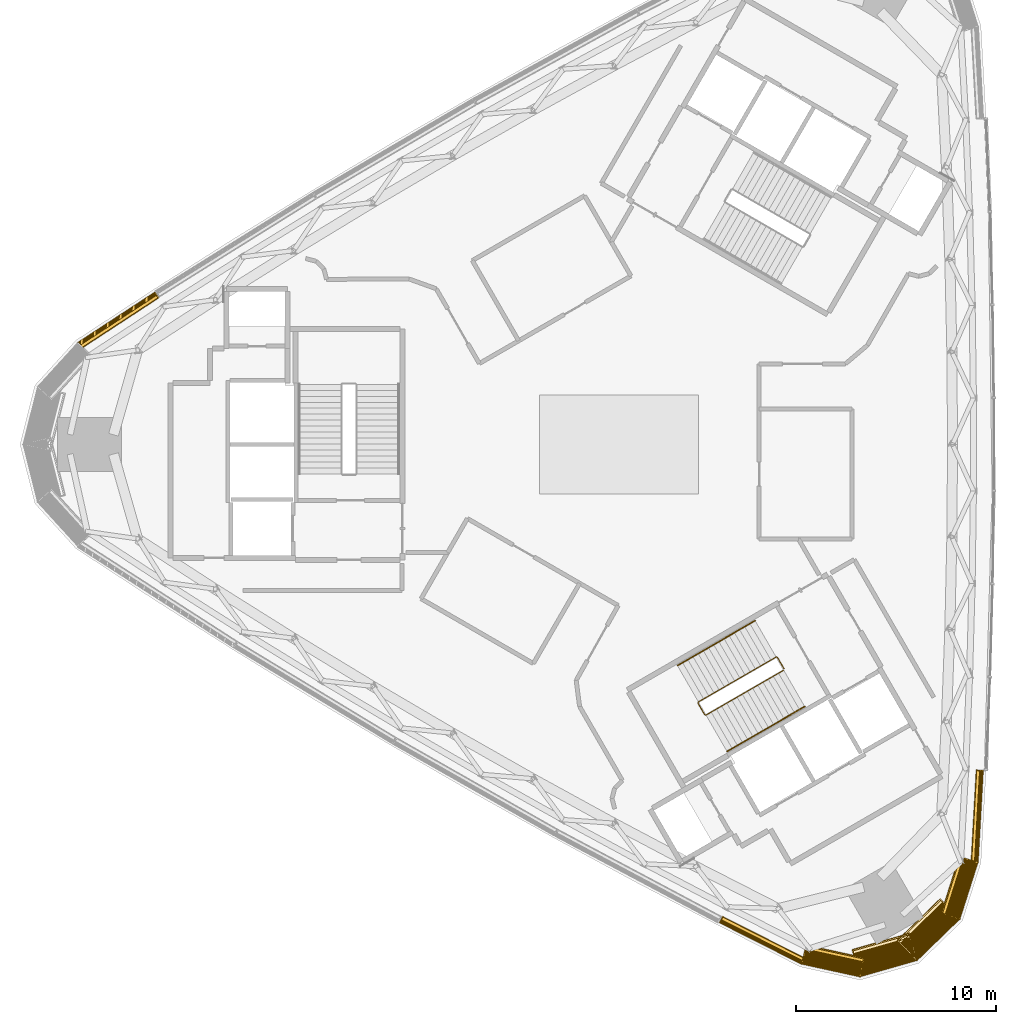
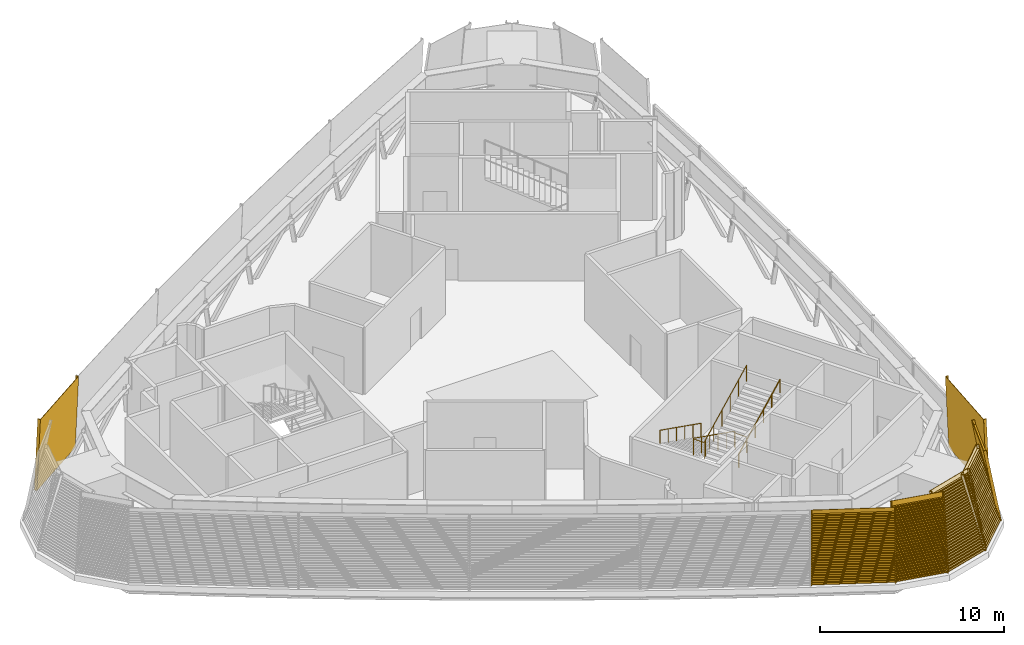
# One storey, part 16 of 18: 7 coverings, 3 railings.
"""IFC4 building model written with IfcOpenShell, lengths in metres."""

from ifc_helpers import new_model, si_unit, direction, frame, frame_2d, origin, origin_2d, place, context, subcontext, project, spatial, rectangle, circle, extrude, source, transform, mapped, material, type_object, element, save


model = new_model("IFC4")

# Units and contexts
model_context = context("Model", 3, precision=1e-05, world=origin(), true_north=direction((0.0, 1.0)))
body_context = subcontext(model_context, "Body", "Model", "MODEL_VIEW")
ifc_project = project(units=[si_unit("LENGTHUNIT", "METRE"), si_unit("AREAUNIT", "SQUARE_METRE"), si_unit("VOLUMEUNIT", "CUBIC_METRE"), si_unit("PLANEANGLEUNIT", "RADIAN"), si_unit("MASSUNIT", "GRAM", prefix="KILO")], contexts=[model_context])

# Site, building, storey
site_placement = place(None, origin())
site = spatial("IfcSite", under=ifc_project, at=site_placement, CompositionType="ELEMENT")
building_placement = place(site_placement, origin())
building = spatial("IfcBuilding", under=site, at=building_placement, Name="Tamra Quay Hotel Tower", CompositionType="ELEMENT")
storey_placement = place(building_placement, frame((0.0, 0.0, 211.60009765625)))
storey = spatial("IfcBuildingStorey", under=building, at=storey_placement, Name="L53", CompositionType="ELEMENT", Elevation=211.60009765625)

# Railings
ifc_material_1 = material(Name="Stair guard 1100")
railing_type_1 = type_object("IfcRailingType", Name="Stair guard 1100", PredefinedType="GUARDRAIL", material=ifc_material_1)
railing_1_placement = place(storey_placement, frame((8.245849609375, -11.221923828125, 0.0)))
element("IfcRailing", 1, at=railing_1_placement, inside=storey, type_object=railing_type_1, Name="GR", PredefinedType="GUARDRAIL", context=body_context, shape_type="SweptSolid", body=[
    extrude(circle(Radius=0.02392578125, at=origin_2d()), frame((0.0, 0.0, 1.076171875), z_axis=(-0.500043078269, 0.866000531106, 0.0), x_axis=(-0.866000531106, -0.500043078269, 0.0)), (0.0, 0.0, 1.0), 0.6591796875),
    extrude(circle(Radius=0.02392578125, at=origin_2d()), frame((-0.32958984375, 0.57080078125, 1.076171875), z_axis=(-0.41238007866, 0.110458949641, 0.904290601062), x_axis=(-0.258736085224, -0.965948051503, 0.0)), (0.0, 0.0, 1.0), 0.165771484375),
    extrude(circle(Radius=0.02392578125, at=origin_2d()), frame((-0.39794921875, 0.589111328125, 1.22607421875), z_axis=(-0.774075664405, -0.446909609502, 0.448417959844), x_axis=(0.499997328569, -0.86602694613, 0.0)), (0.0, 0.0, 1.0), 5.017578125),
    extrude(circle(Radius=0.02392578125, at=origin_2d()), frame((-4.281982421875, -1.6533203125, 3.47607421875), z_axis=(-0.258736085224, -0.965948051503, 0.0), x_axis=(0.965948051503, -0.258736085224, 0.0)), (0.0, 0.0, 1.0), 0.07080078125),
    extrude(circle(Radius=0.02392578125, at=origin_2d()), frame((-4.30029296875, -1.7216796875, 3.47607421875), z_axis=(0.499765215335, -0.866160914346, 0.0), x_axis=(0.866160914346, 0.499765215335, 0.0)), (0.0, 0.0, 1.0), 0.658935546875),
    extrude(circle(Radius=0.02392578125, at=origin_2d()), frame((-3.970947265625, -2.29248046875, 3.47607421875), z_axis=(0.41238007866, -0.110458949641, 0.904290601062), x_axis=(0.258736085224, 0.965948051503, 0.0)), (0.0, 0.0, 1.0), 0.165771484375),
    extrude(circle(Radius=0.02392578125, at=origin_2d()), frame((-3.902587890625, -2.310791015625, 3.6259765625), z_axis=(0.774078333318, 0.446931714007, 0.448391321173), x_axis=(-0.500014583029, 0.866016984105, 0.0)), (0.0, 0.0, 1.0), 5.017822265625),
    extrude(circle(Radius=0.02099609375, at=origin_2d()), origin(), (0.0, 0.0, 1.0), 1.052001953125),
    extrude(circle(Radius=0.02099609375, at=origin_2d()), frame((-0.32958984375, 0.57080078125, 0.0)), (0.0, 0.0, 1.0), 1.052001953125),
    extrude(circle(Radius=0.02099609375, at=origin_2d()), frame((-0.39794921875, 0.589111328125, 0.14990234375)), (0.0, 0.0, 1.0), 1.052001953125),
    extrude(circle(Radius=0.02099609375, at=origin_2d()), frame((-1.1748046875, 0.140625, 0.599853515625)), (0.0, 0.0, 1.0), 1.052001953125),
    extrude(circle(Radius=0.02099609375, at=origin_2d()), frame((-1.95166015625, -0.307861328125, 1.0498046875)), (0.0, 0.0, 1.0), 1.052001953125),
    extrude(circle(Radius=0.02099609375, at=origin_2d()), frame((-2.728271484375, -0.75634765625, 1.5)), (0.0, 0.0, 1.0), 1.052001953125),
    extrude(circle(Radius=0.02099609375, at=origin_2d()), frame((-3.505126953125, -1.204833984375, 1.949951171875)), (0.0, 0.0, 1.0), 1.052001953125),
    extrude(circle(Radius=0.02099609375, at=origin_2d()), frame((-4.281982421875, -1.6533203125, 2.39990234375)), (0.0, 0.0, 1.0), 1.052001953125),
    extrude(circle(Radius=0.02099609375, at=origin_2d()), frame((-4.30029296875, -1.7216796875, 2.39990234375)), (0.0, 0.0, 1.0), 1.052001953125),
    extrude(circle(Radius=0.02099609375, at=origin_2d()), frame((-3.970947265625, -2.29248046875, 2.39990234375)), (0.0, 0.0, 1.0), 1.052001953125),
    extrude(circle(Radius=0.02099609375, at=origin_2d()), frame((-3.902587890625, -2.310791015625, 2.5498046875)), (0.0, 0.0, 1.0), 1.052001953125),
    extrude(circle(Radius=0.02099609375, at=origin_2d()), frame((-3.125732421875, -1.8623046875, 2.999755859375)), (0.0, 0.0, 1.0), 1.052001953125),
    extrude(circle(Radius=0.02099609375, at=origin_2d()), frame((-2.348876953125, -1.413818359375, 3.44970703125)), (0.0, 0.0, 1.0), 1.052001953125),
    extrude(circle(Radius=0.02099609375, at=origin_2d()), frame((-1.572021484375, -0.965087890625, 3.89990234375)), (0.0, 0.0, 1.0), 1.052001953125),
    extrude(circle(Radius=0.02099609375, at=origin_2d()), frame((-0.795166015625, -0.5166015625, 4.349853515625)), (0.0, 0.0, 1.0), 1.052001953125),
    extrude(circle(Radius=0.02099609375, at=origin_2d()), frame((-0.018310546875, -0.068115234375, 4.7998046875)), (0.0, 0.0, 1.0), 1.052001953125),
])
ifc_material_2 = material(Name="Stair handrail 900")
railing_type_2 = type_object("IfcRailingType", Name="Stair handrail 900", PredefinedType="HANDRAIL", material=ifc_material_2)
railing_2_placement = place(storey_placement, frame((6.7978515625, -8.814208984375, 0.14990234375)))
element("IfcRailing", 2, at=railing_2_placement, inside=storey, type_object=railing_type_2, Name="HR", PredefinedType="HANDRAIL", context=body_context, shape_type="SweptSolid", body=[
    extrude(circle(Radius=0.02392578125, at=origin_2d()), frame((0.0, 0.0, 0.8759765625), z_axis=(-0.774075664405, -0.446909609502, 0.448417959844), x_axis=(0.499997328569, -0.86602694613, 0.0)), (0.0, 0.0, 1.0), 5.017578125),
    extrude(circle(Radius=0.02099609375, at=origin_2d()), origin(), (0.0, 0.0, 1.0), 0.851806640625),
    extrude(circle(Radius=0.02099609375, at=origin_2d()), frame((-0.77685546875, -0.448486328125, 0.449951171875)), (0.0, 0.0, 1.0), 0.851806640625),
    extrude(circle(Radius=0.02099609375, at=origin_2d()), frame((-1.5537109375, -0.89697265625, 0.89990234375)), (0.0, 0.0, 1.0), 0.851806640625),
    extrude(circle(Radius=0.02099609375, at=origin_2d()), frame((-2.330322265625, -1.345458984375, 1.35009765625)), (0.0, 0.0, 1.0), 0.851806640625),
    extrude(circle(Radius=0.02099609375, at=origin_2d()), frame((-3.107177734375, -1.7939453125, 1.800048828125)), (0.0, 0.0, 1.0), 0.851806640625),
    extrude(circle(Radius=0.02099609375, at=origin_2d()), frame((-3.884033203125, -2.242431640625, 2.25)), (0.0, 0.0, 1.0), 0.851806640625),
])
railing_3_placement = place(storey_placement, frame((5.393310546875, -15.351318359375, 2.5498046875)))
element("IfcRailing", 3, at=railing_3_placement, inside=storey, type_object=railing_type_2, Name="HR", PredefinedType="HANDRAIL", context=body_context, shape_type="SweptSolid", body=[
    extrude(circle(Radius=0.02392578125, at=origin_2d()), frame((0.0, 0.0, 0.8759765625), z_axis=(0.774075664405, 0.446909609502, 0.448417959844), x_axis=(-0.499997328569, 0.86602694613, 0.0)), (0.0, 0.0, 1.0), 5.017578125),
    extrude(circle(Radius=0.02099609375, at=origin_2d()), origin(), (0.0, 0.0, 1.0), 0.851806640625),
    extrude(circle(Radius=0.02099609375, at=origin_2d()), frame((0.77685546875, 0.448486328125, 0.449951171875)), (0.0, 0.0, 1.0), 0.851806640625),
    extrude(circle(Radius=0.02099609375, at=origin_2d()), frame((1.5537109375, 0.89697265625, 0.89990234375)), (0.0, 0.0, 1.0), 0.851806640625),
    extrude(circle(Radius=0.02099609375, at=origin_2d()), frame((2.330322265625, 1.345458984375, 1.35009765625)), (0.0, 0.0, 1.0), 0.851806640625),
    extrude(circle(Radius=0.02099609375, at=origin_2d()), frame((3.107177734375, 1.7939453125, 1.800048828125)), (0.0, 0.0, 1.0), 0.851806640625),
    extrude(circle(Radius=0.02099609375, at=origin_2d()), frame((3.884033203125, 2.242431640625, 2.25)), (0.0, 0.0, 1.0), 0.851806640625),
])

# Coverings
ifc_material_3 = material(Name="Terracotta louvre panel", Category="masonry")
covering_type_1 = type_object("IfcCoveringType", Name="PLANT LOUVRE H4805", PredefinedType="USERDEFINED", material=ifc_material_3)
shared_shape_1 = source(origin(), body_context, "Body", "SweptSolid", [
    extrude(rectangle(XDim=4.6201171875, YDim=0.030029296875, at=frame_2d((2.31005859375, 0.01513671875))), frame((-2.31005859375, -0.030029296875, 0.0)), (0.0, 0.0, 1.0), 4.804931640625),
    extrude(rectangle(XDim=0.050048828125, YDim=0.139892578125, at=frame_2d((0.02490234375, 0.06982421875))), frame((-2.31005859375, -0.169921875, 0.0)), (0.0, 0.0, 1.0), 4.804931640625),
    extrude(rectangle(XDim=0.050048828125, YDim=0.139892578125, at=frame_2d((0.02490234375, 0.06982421875))), frame((2.260009765625, -0.169921875, 0.0)), (0.0, 0.0, 1.0), 4.804931640625),
    extrude(rectangle(XDim=4.52001953125, YDim=0.139892578125, at=frame_2d((2.260009765625, 0.06982421875))), frame((-2.260009765625, -0.169921875, 0.050048828125)), (0.0, 0.0, 1.0), 0.034912109375),
    extrude(rectangle(XDim=4.52001953125, YDim=0.139892578125, at=frame_2d((2.260009765625, 0.06982421875))), frame((-2.260009765625, -0.169921875, 0.2099609375)), (0.0, 0.0, 1.0), 0.034912109375),
    extrude(rectangle(XDim=4.52001953125, YDim=0.139892578125, at=frame_2d((2.260009765625, 0.06982421875))), frame((-2.260009765625, -0.169921875, 0.3701171875)), (0.0, 0.0, 1.0), 0.034912109375),
    extrude(rectangle(XDim=4.52001953125, YDim=0.139892578125, at=frame_2d((2.260009765625, 0.06982421875))), frame((-2.260009765625, -0.169921875, 0.530029296875)), (0.0, 0.0, 1.0), 0.034912109375),
    extrude(rectangle(XDim=4.52001953125, YDim=0.139892578125, at=frame_2d((2.260009765625, 0.06982421875))), frame((-2.260009765625, -0.169921875, 0.68994140625)), (0.0, 0.0, 1.0), 0.034912109375),
    extrude(rectangle(XDim=4.52001953125, YDim=0.139892578125, at=frame_2d((2.260009765625, 0.06982421875))), frame((-2.260009765625, -0.169921875, 0.85009765625)), (0.0, 0.0, 1.0), 0.034912109375),
    extrude(rectangle(XDim=4.52001953125, YDim=0.139892578125, at=frame_2d((2.260009765625, 0.06982421875))), frame((-2.260009765625, -0.169921875, 1.010009765625)), (0.0, 0.0, 1.0), 0.034912109375),
    extrude(rectangle(XDim=4.52001953125, YDim=0.139892578125, at=frame_2d((2.260009765625, 0.06982421875))), frame((-2.260009765625, -0.169921875, 1.169921875)), (0.0, 0.0, 1.0), 0.034912109375),
    extrude(rectangle(XDim=4.52001953125, YDim=0.139892578125, at=frame_2d((2.260009765625, 0.06982421875))), frame((-2.260009765625, -0.169921875, 1.330078125)), (0.0, 0.0, 1.0), 0.034912109375),
    extrude(rectangle(XDim=4.52001953125, YDim=0.139892578125, at=frame_2d((2.260009765625, 0.06982421875))), frame((-2.260009765625, -0.169921875, 1.489990234375)), (0.0, 0.0, 1.0), 0.034912109375),
    extrude(rectangle(XDim=4.52001953125, YDim=0.139892578125, at=frame_2d((2.260009765625, 0.06982421875))), frame((-2.260009765625, -0.169921875, 1.64990234375)), (0.0, 0.0, 1.0), 0.034912109375),
    extrude(rectangle(XDim=4.52001953125, YDim=0.139892578125, at=frame_2d((2.260009765625, 0.06982421875))), frame((-2.260009765625, -0.169921875, 1.81005859375)), (0.0, 0.0, 1.0), 0.034912109375),
    extrude(rectangle(XDim=4.52001953125, YDim=0.139892578125, at=frame_2d((2.260009765625, 0.06982421875))), frame((-2.260009765625, -0.169921875, 1.969970703125)), (0.0, 0.0, 1.0), 0.034912109375),
    extrude(rectangle(XDim=4.52001953125, YDim=0.139892578125, at=frame_2d((2.260009765625, 0.06982421875))), frame((-2.260009765625, -0.169921875, 2.1298828125)), (0.0, 0.0, 1.0), 0.034912109375),
    extrude(rectangle(XDim=4.52001953125, YDim=0.139892578125, at=frame_2d((2.260009765625, 0.06982421875))), frame((-2.260009765625, -0.169921875, 2.2900390625)), (0.0, 0.0, 1.0), 0.034912109375),
    extrude(rectangle(XDim=4.52001953125, YDim=0.139892578125, at=frame_2d((2.260009765625, 0.06982421875))), frame((-2.260009765625, -0.169921875, 2.449951171875)), (0.0, 0.0, 1.0), 0.034912109375),
    extrude(rectangle(XDim=4.52001953125, YDim=0.139892578125, at=frame_2d((2.260009765625, 0.06982421875))), frame((-2.260009765625, -0.169921875, 2.610107421875)), (0.0, 0.0, 1.0), 0.034912109375),
    extrude(rectangle(XDim=4.52001953125, YDim=0.139892578125, at=frame_2d((2.260009765625, 0.06982421875))), frame((-2.260009765625, -0.169921875, 2.77001953125)), (0.0, 0.0, 1.0), 0.034912109375),
    extrude(rectangle(XDim=4.52001953125, YDim=0.139892578125, at=frame_2d((2.260009765625, 0.06982421875))), frame((-2.260009765625, -0.169921875, 2.929931640625)), (0.0, 0.0, 1.0), 0.034912109375),
    extrude(rectangle(XDim=4.52001953125, YDim=0.139892578125, at=frame_2d((2.260009765625, 0.06982421875))), frame((-2.260009765625, -0.169921875, 3.090087890625)), (0.0, 0.0, 1.0), 0.034912109375),
    extrude(rectangle(XDim=4.52001953125, YDim=0.139892578125, at=frame_2d((2.260009765625, 0.06982421875))), frame((-2.260009765625, -0.169921875, 3.25)), (0.0, 0.0, 1.0), 0.034912109375),
    extrude(rectangle(XDim=4.52001953125, YDim=0.139892578125, at=frame_2d((2.260009765625, 0.06982421875))), frame((-2.260009765625, -0.169921875, 3.409912109375)), (0.0, 0.0, 1.0), 0.034912109375),
    extrude(rectangle(XDim=4.52001953125, YDim=0.139892578125, at=frame_2d((2.260009765625, 0.06982421875))), frame((-2.260009765625, -0.169921875, 3.570068359375)), (0.0, 0.0, 1.0), 0.034912109375),
    extrude(rectangle(XDim=4.52001953125, YDim=0.139892578125, at=frame_2d((2.260009765625, 0.06982421875))), frame((-2.260009765625, -0.169921875, 3.72998046875)), (0.0, 0.0, 1.0), 0.034912109375),
    extrude(rectangle(XDim=4.52001953125, YDim=0.139892578125, at=frame_2d((2.260009765625, 0.06982421875))), frame((-2.260009765625, -0.169921875, 3.889892578125)), (0.0, 0.0, 1.0), 0.034912109375),
    extrude(rectangle(XDim=4.52001953125, YDim=0.139892578125, at=frame_2d((2.260009765625, 0.06982421875))), frame((-2.260009765625, -0.169921875, 4.050048828125)), (0.0, 0.0, 1.0), 0.034912109375),
    extrude(rectangle(XDim=4.52001953125, YDim=0.139892578125, at=frame_2d((2.260009765625, 0.06982421875))), frame((-2.260009765625, -0.169921875, 4.2099609375)), (0.0, 0.0, 1.0), 0.034912109375),
    extrude(rectangle(XDim=4.52001953125, YDim=0.139892578125, at=frame_2d((2.260009765625, 0.06982421875))), frame((-2.260009765625, -0.169921875, 4.3701171875)), (0.0, 0.0, 1.0), 0.034912109375),
    extrude(rectangle(XDim=4.52001953125, YDim=0.139892578125, at=frame_2d((2.260009765625, 0.06982421875))), frame((-2.260009765625, -0.169921875, 4.530029296875)), (0.0, 0.0, 1.0), 0.034912109375),
])
for number, where, z_axis, x_axis, name in (
    (4, (17.92333984375, -18.580810546875, 0.0), (-0.043552356237, 0.002417275389, 0.999048221582), (0.055417453918, 0.998463272134, 0.0), "Plant louvre L53.E.f00s"),
    (5, (-25.052978515625, 6.231689453125, 0.0), (0.023869600014, -0.036508809202, 0.999048221582), (-0.836985831455, -0.547224558973, 0.0), "Plant louvre L53.NW.f08"),
    (6, (7.129638671875, -24.8125, 0.0), (0.019682756224, 0.038926084591, 0.999048221582), (0.892403285373, -0.451238713161, 0.0), "Plant louvre L53.SW.f08"),
):
    element("IfcCovering", number, at=place(storey_placement, frame(where, z_axis=z_axis, x_axis=x_axis)), inside=storey, type_object=covering_type_1, Name=name, ObjectType="LOUVER", PredefinedType="USERDEFINED", context=body_context, shape_type="MappedRepresentation", body=[
        mapped(shared_shape_1, transform((0.0, 0.0, 0.0), scale=1.0)),
    ])
covering_type_2 = type_object("IfcCoveringType", Name="PLANT LOUVRE H4874", PredefinedType="USERDEFINED", material=ifc_material_3)
shared_shape_2 = source(origin(), body_context, "Body", "SweptSolid", [
    extrude(rectangle(XDim=3.02001953125, YDim=0.030029296875, at=frame_2d((1.510009765625, 0.01513671875))), frame((-1.510009765625, -0.030029296875, 0.0)), (0.0, 0.0, 1.0), 4.8740234375),
    extrude(rectangle(XDim=0.050048828125, YDim=0.139892578125, at=frame_2d((0.02490234375, 0.06982421875))), frame((-1.510009765625, -0.169921875, 0.0)), (0.0, 0.0, 1.0), 4.8740234375),
    extrude(rectangle(XDim=0.050048828125, YDim=0.139892578125, at=frame_2d((0.02490234375, 0.06982421875))), frame((1.4599609375, -0.169921875, 0.0)), (0.0, 0.0, 1.0), 4.8740234375),
    extrude(rectangle(XDim=2.919921875, YDim=0.139892578125, at=frame_2d((1.4599609375, 0.06982421875))), frame((-1.4599609375, -0.169921875, 0.050048828125)), (0.0, 0.0, 1.0), 0.034912109375),
    extrude(rectangle(XDim=2.919921875, YDim=0.139892578125, at=frame_2d((1.4599609375, 0.06982421875))), frame((-1.4599609375, -0.169921875, 0.2099609375)), (0.0, 0.0, 1.0), 0.034912109375),
    extrude(rectangle(XDim=2.919921875, YDim=0.139892578125, at=frame_2d((1.4599609375, 0.06982421875))), frame((-1.4599609375, -0.169921875, 0.3701171875)), (0.0, 0.0, 1.0), 0.034912109375),
    extrude(rectangle(XDim=2.919921875, YDim=0.139892578125, at=frame_2d((1.4599609375, 0.06982421875))), frame((-1.4599609375, -0.169921875, 0.530029296875)), (0.0, 0.0, 1.0), 0.034912109375),
    extrude(rectangle(XDim=2.919921875, YDim=0.139892578125, at=frame_2d((1.4599609375, 0.06982421875))), frame((-1.4599609375, -0.169921875, 0.68994140625)), (0.0, 0.0, 1.0), 0.034912109375),
    extrude(rectangle(XDim=2.919921875, YDim=0.139892578125, at=frame_2d((1.4599609375, 0.06982421875))), frame((-1.4599609375, -0.169921875, 0.85009765625)), (0.0, 0.0, 1.0), 0.034912109375),
    extrude(rectangle(XDim=2.919921875, YDim=0.139892578125, at=frame_2d((1.4599609375, 0.06982421875))), frame((-1.4599609375, -0.169921875, 1.010009765625)), (0.0, 0.0, 1.0), 0.034912109375),
    extrude(rectangle(XDim=2.919921875, YDim=0.139892578125, at=frame_2d((1.4599609375, 0.06982421875))), frame((-1.4599609375, -0.169921875, 1.169921875)), (0.0, 0.0, 1.0), 0.034912109375),
    extrude(rectangle(XDim=2.919921875, YDim=0.139892578125, at=frame_2d((1.4599609375, 0.06982421875))), frame((-1.4599609375, -0.169921875, 1.330078125)), (0.0, 0.0, 1.0), 0.034912109375),
    extrude(rectangle(XDim=2.919921875, YDim=0.139892578125, at=frame_2d((1.4599609375, 0.06982421875))), frame((-1.4599609375, -0.169921875, 1.489990234375)), (0.0, 0.0, 1.0), 0.034912109375),
    extrude(rectangle(XDim=2.919921875, YDim=0.139892578125, at=frame_2d((1.4599609375, 0.06982421875))), frame((-1.4599609375, -0.169921875, 1.64990234375)), (0.0, 0.0, 1.0), 0.034912109375),
    extrude(rectangle(XDim=2.919921875, YDim=0.139892578125, at=frame_2d((1.4599609375, 0.06982421875))), frame((-1.4599609375, -0.169921875, 1.81005859375)), (0.0, 0.0, 1.0), 0.034912109375),
    extrude(rectangle(XDim=2.919921875, YDim=0.139892578125, at=frame_2d((1.4599609375, 0.06982421875))), frame((-1.4599609375, -0.169921875, 1.969970703125)), (0.0, 0.0, 1.0), 0.034912109375),
    extrude(rectangle(XDim=2.919921875, YDim=0.139892578125, at=frame_2d((1.4599609375, 0.06982421875))), frame((-1.4599609375, -0.169921875, 2.1298828125)), (0.0, 0.0, 1.0), 0.034912109375),
    extrude(rectangle(XDim=2.919921875, YDim=0.139892578125, at=frame_2d((1.4599609375, 0.06982421875))), frame((-1.4599609375, -0.169921875, 2.2900390625)), (0.0, 0.0, 1.0), 0.034912109375),
    extrude(rectangle(XDim=2.919921875, YDim=0.139892578125, at=frame_2d((1.4599609375, 0.06982421875))), frame((-1.4599609375, -0.169921875, 2.449951171875)), (0.0, 0.0, 1.0), 0.034912109375),
    extrude(rectangle(XDim=2.919921875, YDim=0.139892578125, at=frame_2d((1.4599609375, 0.06982421875))), frame((-1.4599609375, -0.169921875, 2.610107421875)), (0.0, 0.0, 1.0), 0.034912109375),
    extrude(rectangle(XDim=2.919921875, YDim=0.139892578125, at=frame_2d((1.4599609375, 0.06982421875))), frame((-1.4599609375, -0.169921875, 2.77001953125)), (0.0, 0.0, 1.0), 0.034912109375),
    extrude(rectangle(XDim=2.919921875, YDim=0.139892578125, at=frame_2d((1.4599609375, 0.06982421875))), frame((-1.4599609375, -0.169921875, 2.929931640625)), (0.0, 0.0, 1.0), 0.034912109375),
    extrude(rectangle(XDim=2.919921875, YDim=0.139892578125, at=frame_2d((1.4599609375, 0.06982421875))), frame((-1.4599609375, -0.169921875, 3.090087890625)), (0.0, 0.0, 1.0), 0.034912109375),
    extrude(rectangle(XDim=2.919921875, YDim=0.139892578125, at=frame_2d((1.4599609375, 0.06982421875))), frame((-1.4599609375, -0.169921875, 3.25)), (0.0, 0.0, 1.0), 0.034912109375),
    extrude(rectangle(XDim=2.919921875, YDim=0.139892578125, at=frame_2d((1.4599609375, 0.06982421875))), frame((-1.4599609375, -0.169921875, 3.409912109375)), (0.0, 0.0, 1.0), 0.034912109375),
    extrude(rectangle(XDim=2.919921875, YDim=0.139892578125, at=frame_2d((1.4599609375, 0.06982421875))), frame((-1.4599609375, -0.169921875, 3.570068359375)), (0.0, 0.0, 1.0), 0.034912109375),
    extrude(rectangle(XDim=2.919921875, YDim=0.139892578125, at=frame_2d((1.4599609375, 0.06982421875))), frame((-1.4599609375, -0.169921875, 3.72998046875)), (0.0, 0.0, 1.0), 0.034912109375),
    extrude(rectangle(XDim=2.919921875, YDim=0.139892578125, at=frame_2d((1.4599609375, 0.06982421875))), frame((-1.4599609375, -0.169921875, 3.889892578125)), (0.0, 0.0, 1.0), 0.034912109375),
    extrude(rectangle(XDim=2.919921875, YDim=0.139892578125, at=frame_2d((1.4599609375, 0.06982421875))), frame((-1.4599609375, -0.169921875, 4.050048828125)), (0.0, 0.0, 1.0), 0.034912109375),
    extrude(rectangle(XDim=2.919921875, YDim=0.139892578125, at=frame_2d((1.4599609375, 0.06982421875))), frame((-1.4599609375, -0.169921875, 4.2099609375)), (0.0, 0.0, 1.0), 0.034912109375),
    extrude(rectangle(XDim=2.919921875, YDim=0.139892578125, at=frame_2d((1.4599609375, 0.06982421875))), frame((-1.4599609375, -0.169921875, 4.3701171875)), (0.0, 0.0, 1.0), 0.034912109375),
    extrude(rectangle(XDim=2.919921875, YDim=0.139892578125, at=frame_2d((1.4599609375, 0.06982421875))), frame((-1.4599609375, -0.169921875, 4.530029296875)), (0.0, 0.0, 1.0), 0.034912109375),
])
for number, where, z_axis, x_axis, name in (
    (7, (10.623046875, -26.162353515625, 0.0), (0.037103196165, 0.169637974644, 0.984807753012), (0.976906161202, -0.213668790904, 0.0), "Plant louvre L53.SW.c00"),
    (8, (17.345703125, -22.281005859375, 0.0), (-0.165462393571, 0.052686676882, 0.984807753012), (0.303410479682, 0.952859948166, 0.0), "Plant louvre L53.SW.c03"),
):
    element("IfcCovering", number, at=place(storey_placement, frame(where, z_axis=z_axis, x_axis=x_axis)), inside=storey, type_object=covering_type_2, Name=name, ObjectType="LOUVER", PredefinedType="USERDEFINED", context=body_context, shape_type="MappedRepresentation", body=[
        mapped(shared_shape_2, transform((0.0, 0.0, 0.0), scale=1.0)),
    ])
covering_type_3 = type_object("IfcCoveringType", Name="PLANT LOUVRE H4969", PredefinedType="USERDEFINED", material=ifc_material_3)
shared_shape_3 = source(origin(), body_context, "Body", "SweptSolid", [
    extrude(rectangle(XDim=3.02001953125, YDim=0.030029296875, at=frame_2d((1.510009765625, 0.01513671875))), frame((-1.510009765625, -0.030029296875, 0.0)), (0.0, 0.0, 1.0), 4.968994140625),
    extrude(rectangle(XDim=0.050048828125, YDim=0.139892578125, at=frame_2d((0.02490234375, 0.06982421875))), frame((-1.510009765625, -0.169921875, 0.0)), (0.0, 0.0, 1.0), 4.968994140625),
    extrude(rectangle(XDim=0.050048828125, YDim=0.139892578125, at=frame_2d((0.02490234375, 0.06982421875))), frame((1.4599609375, -0.169921875, 0.0)), (0.0, 0.0, 1.0), 4.968994140625),
    extrude(rectangle(XDim=2.919921875, YDim=0.139892578125, at=frame_2d((1.4599609375, 0.06982421875))), frame((-1.4599609375, -0.169921875, 0.050048828125)), (0.0, 0.0, 1.0), 0.034912109375),
    extrude(rectangle(XDim=2.919921875, YDim=0.139892578125, at=frame_2d((1.4599609375, 0.06982421875))), frame((-1.4599609375, -0.169921875, 0.2099609375)), (0.0, 0.0, 1.0), 0.034912109375),
    extrude(rectangle(XDim=2.919921875, YDim=0.139892578125, at=frame_2d((1.4599609375, 0.06982421875))), frame((-1.4599609375, -0.169921875, 0.3701171875)), (0.0, 0.0, 1.0), 0.034912109375),
    extrude(rectangle(XDim=2.919921875, YDim=0.139892578125, at=frame_2d((1.4599609375, 0.06982421875))), frame((-1.4599609375, -0.169921875, 0.530029296875)), (0.0, 0.0, 1.0), 0.034912109375),
    extrude(rectangle(XDim=2.919921875, YDim=0.139892578125, at=frame_2d((1.4599609375, 0.06982421875))), frame((-1.4599609375, -0.169921875, 0.68994140625)), (0.0, 0.0, 1.0), 0.034912109375),
    extrude(rectangle(XDim=2.919921875, YDim=0.139892578125, at=frame_2d((1.4599609375, 0.06982421875))), frame((-1.4599609375, -0.169921875, 0.85009765625)), (0.0, 0.0, 1.0), 0.034912109375),
    extrude(rectangle(XDim=2.919921875, YDim=0.139892578125, at=frame_2d((1.4599609375, 0.06982421875))), frame((-1.4599609375, -0.169921875, 1.010009765625)), (0.0, 0.0, 1.0), 0.034912109375),
    extrude(rectangle(XDim=2.919921875, YDim=0.139892578125, at=frame_2d((1.4599609375, 0.06982421875))), frame((-1.4599609375, -0.169921875, 1.169921875)), (0.0, 0.0, 1.0), 0.034912109375),
    extrude(rectangle(XDim=2.919921875, YDim=0.139892578125, at=frame_2d((1.4599609375, 0.06982421875))), frame((-1.4599609375, -0.169921875, 1.330078125)), (0.0, 0.0, 1.0), 0.034912109375),
    extrude(rectangle(XDim=2.919921875, YDim=0.139892578125, at=frame_2d((1.4599609375, 0.06982421875))), frame((-1.4599609375, -0.169921875, 1.489990234375)), (0.0, 0.0, 1.0), 0.034912109375),
    extrude(rectangle(XDim=2.919921875, YDim=0.139892578125, at=frame_2d((1.4599609375, 0.06982421875))), frame((-1.4599609375, -0.169921875, 1.64990234375)), (0.0, 0.0, 1.0), 0.034912109375),
    extrude(rectangle(XDim=2.919921875, YDim=0.139892578125, at=frame_2d((1.4599609375, 0.06982421875))), frame((-1.4599609375, -0.169921875, 1.81005859375)), (0.0, 0.0, 1.0), 0.034912109375),
    extrude(rectangle(XDim=2.919921875, YDim=0.139892578125, at=frame_2d((1.4599609375, 0.06982421875))), frame((-1.4599609375, -0.169921875, 1.969970703125)), (0.0, 0.0, 1.0), 0.034912109375),
    extrude(rectangle(XDim=2.919921875, YDim=0.139892578125, at=frame_2d((1.4599609375, 0.06982421875))), frame((-1.4599609375, -0.169921875, 2.1298828125)), (0.0, 0.0, 1.0), 0.034912109375),
    extrude(rectangle(XDim=2.919921875, YDim=0.139892578125, at=frame_2d((1.4599609375, 0.06982421875))), frame((-1.4599609375, -0.169921875, 2.2900390625)), (0.0, 0.0, 1.0), 0.034912109375),
    extrude(rectangle(XDim=2.919921875, YDim=0.139892578125, at=frame_2d((1.4599609375, 0.06982421875))), frame((-1.4599609375, -0.169921875, 2.449951171875)), (0.0, 0.0, 1.0), 0.034912109375),
    extrude(rectangle(XDim=2.919921875, YDim=0.139892578125, at=frame_2d((1.4599609375, 0.06982421875))), frame((-1.4599609375, -0.169921875, 2.610107421875)), (0.0, 0.0, 1.0), 0.034912109375),
    extrude(rectangle(XDim=2.919921875, YDim=0.139892578125, at=frame_2d((1.4599609375, 0.06982421875))), frame((-1.4599609375, -0.169921875, 2.77001953125)), (0.0, 0.0, 1.0), 0.034912109375),
    extrude(rectangle(XDim=2.919921875, YDim=0.139892578125, at=frame_2d((1.4599609375, 0.06982421875))), frame((-1.4599609375, -0.169921875, 2.929931640625)), (0.0, 0.0, 1.0), 0.034912109375),
    extrude(rectangle(XDim=2.919921875, YDim=0.139892578125, at=frame_2d((1.4599609375, 0.06982421875))), frame((-1.4599609375, -0.169921875, 3.090087890625)), (0.0, 0.0, 1.0), 0.034912109375),
    extrude(rectangle(XDim=2.919921875, YDim=0.139892578125, at=frame_2d((1.4599609375, 0.06982421875))), frame((-1.4599609375, -0.169921875, 3.25)), (0.0, 0.0, 1.0), 0.034912109375),
    extrude(rectangle(XDim=2.919921875, YDim=0.139892578125, at=frame_2d((1.4599609375, 0.06982421875))), frame((-1.4599609375, -0.169921875, 3.409912109375)), (0.0, 0.0, 1.0), 0.034912109375),
    extrude(rectangle(XDim=2.919921875, YDim=0.139892578125, at=frame_2d((1.4599609375, 0.06982421875))), frame((-1.4599609375, -0.169921875, 3.570068359375)), (0.0, 0.0, 1.0), 0.034912109375),
    extrude(rectangle(XDim=2.919921875, YDim=0.139892578125, at=frame_2d((1.4599609375, 0.06982421875))), frame((-1.4599609375, -0.169921875, 3.72998046875)), (0.0, 0.0, 1.0), 0.034912109375),
    extrude(rectangle(XDim=2.919921875, YDim=0.139892578125, at=frame_2d((1.4599609375, 0.06982421875))), frame((-1.4599609375, -0.169921875, 3.889892578125)), (0.0, 0.0, 1.0), 0.034912109375),
    extrude(rectangle(XDim=2.919921875, YDim=0.139892578125, at=frame_2d((1.4599609375, 0.06982421875))), frame((-1.4599609375, -0.169921875, 4.050048828125)), (0.0, 0.0, 1.0), 0.034912109375),
    extrude(rectangle(XDim=2.919921875, YDim=0.139892578125, at=frame_2d((1.4599609375, 0.06982421875))), frame((-1.4599609375, -0.169921875, 4.2099609375)), (0.0, 0.0, 1.0), 0.034912109375),
    extrude(rectangle(XDim=2.919921875, YDim=0.139892578125, at=frame_2d((1.4599609375, 0.06982421875))), frame((-1.4599609375, -0.169921875, 4.3701171875)), (0.0, 0.0, 1.0), 0.034912109375),
    extrude(rectangle(XDim=2.919921875, YDim=0.139892578125, at=frame_2d((1.4599609375, 0.06982421875))), frame((-1.4599609375, -0.169921875, 4.530029296875)), (0.0, 0.0, 1.0), 0.034912109375),
    extrude(rectangle(XDim=2.919921875, YDim=0.139892578125, at=frame_2d((1.4599609375, 0.06982421875))), frame((-1.4599609375, -0.169921875, 4.68994140625)), (0.0, 0.0, 1.0), 0.034912109375),
])
for number, where, z_axis, x_axis, name in (
    (9, (13.43212890625, -26.0751953125, 0.0), (-0.070851643458, 0.24893240594, 0.965925826289), (0.961800959591, 0.273749729005, 0.0), "Plant louvre L53.SW.c01"),
    (10, (15.86572265625, -24.670166015625, 0.0), (-0.18015596564, 0.185825526105, 0.965925826289), (0.717974699393, 0.696069199888, 0.0), "Plant louvre L53.SW.c02"),
):
    element("IfcCovering", number, at=place(storey_placement, frame(where, z_axis=z_axis, x_axis=x_axis)), inside=storey, type_object=covering_type_3, Name=name, ObjectType="LOUVER", PredefinedType="USERDEFINED", context=body_context, shape_type="MappedRepresentation", body=[
        mapped(shared_shape_3, transform((0.0, 0.0, 0.0), scale=1.0)),
    ])

save(model, "model.ifc")
